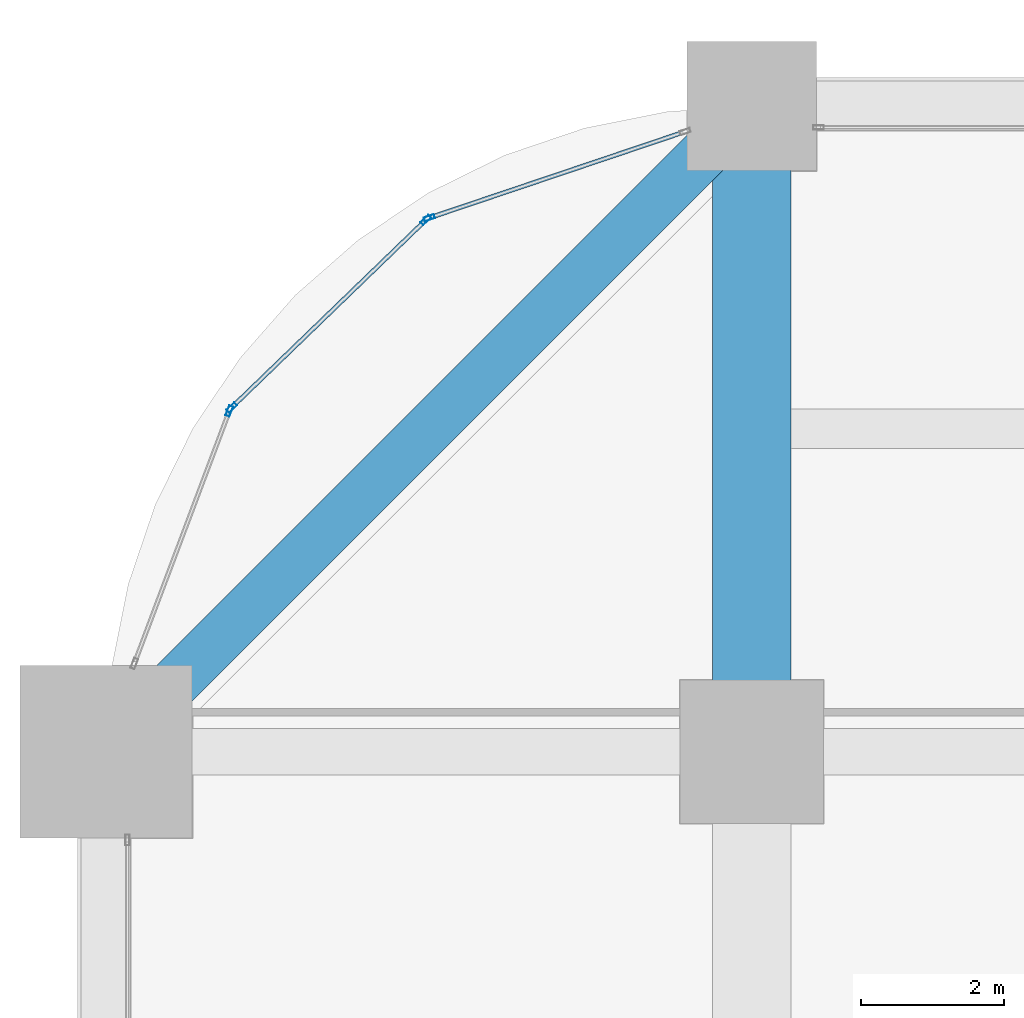
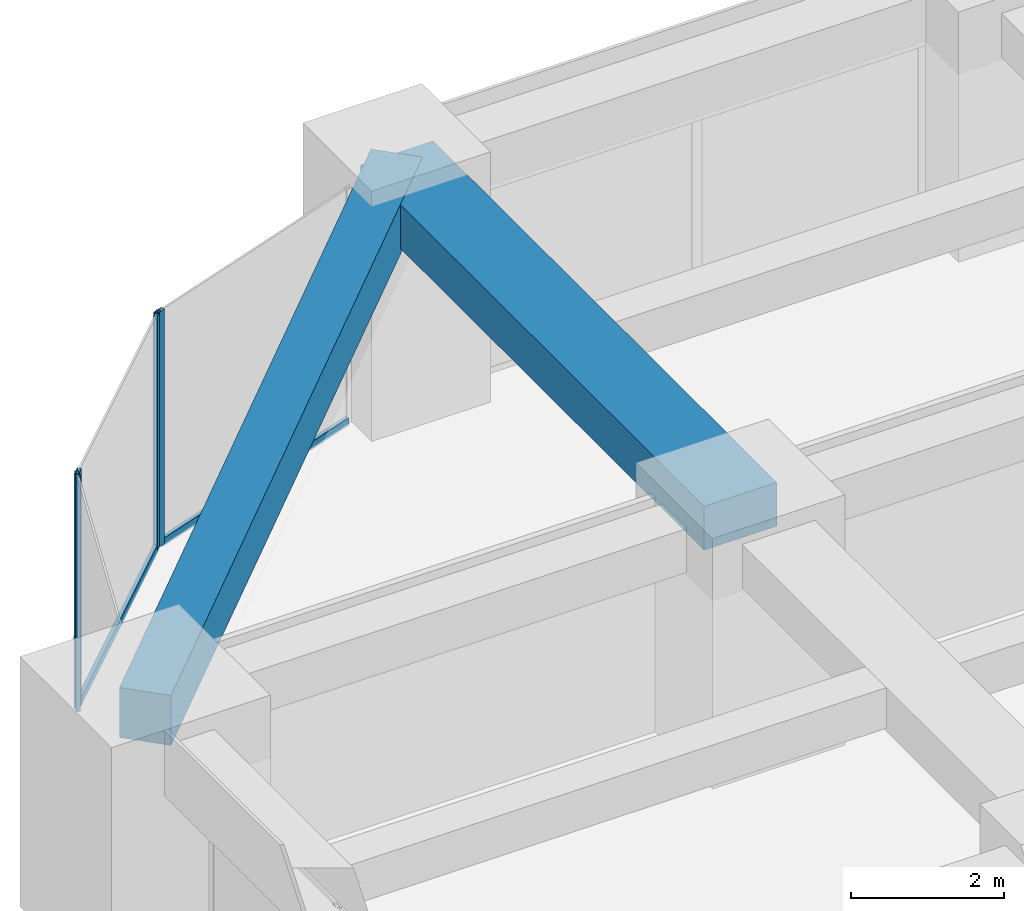
# One storey, part 26 of 39: 6 members, 2 beams, 3 elements without a shape of their own.
"""IFC4 building model written with IfcOpenShell, lengths in metres."""

from ifc_helpers import new_model, si_unit, direction, frame, origin, origin_2d, place, context, subcontext, project, spatial, rectangle, hollow_rectangle, extrude, material, material_profile, profile_set, type_object, element, aggregate, save


model = new_model("IFC4")

# Units and contexts
model_context = context("Model", 3, precision=1e-05, world=origin(), true_north=direction((0.0, 1.0)))
body_context = subcontext(model_context, "Body", "Model", "MODEL_VIEW")
ifc_project = project(units=[si_unit("LENGTHUNIT", "METRE"), si_unit("AREAUNIT", "SQUARE_METRE"), si_unit("VOLUMEUNIT", "CUBIC_METRE"), si_unit("PLANEANGLEUNIT", "RADIAN"), si_unit("MASSUNIT", "GRAM", prefix="KILO")], contexts=[model_context])

# Site, building, storey
site_placement = place(None, origin())
site = spatial("IfcSite", under=ifc_project, at=site_placement, CompositionType="ELEMENT")
building_placement = place(site_placement, origin())
building = spatial("IfcBuilding", under=site, at=building_placement, Name="Zorevar Civic Tower", CompositionType="ELEMENT")
storey_placement = place(building_placement, frame((0.0, 0.0, 121.0)))
storey = spatial("IfcBuildingStorey", under=building, at=storey_placement, Name="L29", CompositionType="ELEMENT", Elevation=121.0)

# Beam
ifc_material_1 = material(Name="Concrete C50/60", Category="concrete")
ifc_material_profile_1 = material_profile(ifc_material_1, rectangle(XDim=1.10009765625, YDim=0.699951171875, at=origin_2d()), Name="RC 1100x700")
ifc_profile_set_1 = profile_set([ifc_material_profile_1], Name="Concrete C50/60")
beam_type_1 = type_object("IfcBeamType", Name="Beam RC 1100x700", PredefinedType="BEAM", material=ifc_profile_set_1)
beam_1_placement = place(storey_placement, frame((9.0, 36.0, 3.39990234375), z_axis=(0.0, 1.0, 0.0), x_axis=(-1.0, 0.0, 0.0)))
element("IfcBeam", 1, at=beam_1_placement, inside=storey, type_object=beam_type_1, Name="Girder L30", PredefinedType="BEAM", context=body_context, shape_type="SweptSolid", body=[
    extrude(rectangle(XDim=1.10009765625, YDim=0.699951171875, at=origin_2d()), origin(), (0.0, 0.0, 1.0), 9.0),
])

# Curtain wall, member
ifc_material_2 = material(Name="Dark grey solar-control glass in black aluminium frame", Category="aluminium")
curtain_wall_type = type_object("IfcCurtainWallType", Name="Curtain wall CW3 mid zone", PredefinedType="NOTDEFINED", material=ifc_material_2)
curtain_wall_1_placement = place(storey_placement, origin())
curtain_wall_1 = element("IfcCurtainWall", 2, at=curtain_wall_1_placement, inside=storey, type_object=curtain_wall_type, Name="CW3 L29", PredefinedType="NOTDEFINED")
ifc_material_3 = material(Name="Aluminium, black anodised", Category="aluminium")
ifc_material_profile_2 = material_profile(ifc_material_3, hollow_rectangle(XDim=0.06005859375, YDim=0.14990234375, WallThickness=0.00390625, at=origin_2d()), Name="AL 150x60x4")
ifc_profile_set_2 = profile_set([ifc_material_profile_2], Name="Aluminium, black anodised")
member_type_1 = type_object("IfcMemberType", Name="CW3 mullion AL 150x60x4", PredefinedType="MULLION", material=ifc_profile_set_2)
member_1_placement = place(storey_placement, frame((4.506591796875, 43.442138671875, 0.0), z_axis=(0.0, 0.0, 1.0), x_axis=(0.319412525043, -0.947615765406, 0.0)))
member_1 = element("IfcMember", 3, at=member_1_placement, type_object=member_type_1, Name="CW3 mullion 2", PredefinedType="MULLION", context=body_context, shape_type="SweptSolid", body=[
    extrude(hollow_rectangle(XDim=0.06005859375, YDim=0.14990234375, WallThickness=0.00390625, at=origin_2d()), origin(), (0.0, 0.0, 1.0), 3.75),
])

# Curtain wall, members
curtain_wall_2_placement = place(storey_placement, origin())
curtain_wall_2 = element("IfcCurtainWall", 4, at=curtain_wall_2_placement, inside=storey, type_object=curtain_wall_type, Name="CW3 L29", PredefinedType="NOTDEFINED")
member_2_placement = place(storey_placement, frame((4.45654296875, 43.41162109375, 0.0), z_axis=(0.0, 0.0, 1.0), x_axis=(0.694719089155, -0.719281160023, 0.0)))
member_2 = element("IfcMember", 5, at=member_2_placement, type_object=member_type_1, Name="CW3 mullion 1", PredefinedType="MULLION", context=body_context, shape_type="SweptSolid", body=[
    extrude(hollow_rectangle(XDim=0.06005859375, YDim=0.14990234375, WallThickness=0.00390625, at=origin_2d()), origin(), (0.0, 0.0, 1.0), 3.75),
])
member_3_placement = place(storey_placement, frame((1.750732421875, 40.798095703125, 0.0), z_axis=(0.0, 0.0, 1.0), x_axis=(0.694719089155, -0.719281160023, 0.0)))
member_3 = element("IfcMember", 6, at=member_3_placement, type_object=member_type_1, Name="CW3 mullion 2", PredefinedType="MULLION", context=body_context, shape_type="SweptSolid", body=[
    extrude(hollow_rectangle(XDim=0.06005859375, YDim=0.14990234375, WallThickness=0.00390625, at=origin_2d()), origin(), (0.0, 0.0, 1.0), 3.75),
])

# Curtain wall, member
curtain_wall_3_placement = place(storey_placement, origin())
curtain_wall_3 = element("IfcCurtainWall", 7, at=curtain_wall_3_placement, inside=storey, type_object=curtain_wall_type, Name="CW3 L29", PredefinedType="NOTDEFINED")
member_4_placement = place(storey_placement, frame((1.718505859375, 40.749267578125, 0.0), z_axis=(0.0, 0.0, 1.0), x_axis=(0.935950528564, -0.352131520999, 0.0)))
member_4 = element("IfcMember", 8, at=member_4_placement, type_object=member_type_1, Name="CW3 mullion 1", PredefinedType="MULLION", context=body_context, shape_type="SweptSolid", body=[
    extrude(hollow_rectangle(XDim=0.06005859375, YDim=0.14990234375, WallThickness=0.00390625, at=origin_2d()), origin(), (0.0, 0.0, 1.0), 3.75),
])
aggregate(curtain_wall_3, [member_4])

# Member
ifc_material_4 = material(Name="Aluminium, black anodised", Category="aluminium")
ifc_material_profile_3 = material_profile(ifc_material_4, hollow_rectangle(XDim=0.06005859375, YDim=0.1201171875, WallThickness=0.0029296875, at=origin_2d()), Name="AL 120x60x3")
ifc_profile_set_3 = profile_set([ifc_material_profile_3], Name="Aluminium, black anodised")
member_type_2 = type_object("IfcMemberType", Name="CW3 transom AL 120x60x3", PredefinedType="USERDEFINED", material=ifc_profile_set_3)
member_5_placement = place(storey_placement, frame((8.043212890625, 44.634033203125, 0.030029296875), z_axis=(-0.9476295577, -0.319371603893, 0.0), x_axis=(0.319371603893, -0.9476295577, 0.0)))
member_5 = element("IfcMember", 9, at=member_5_placement, type_object=member_type_2, Name="CW3 sill transom", ObjectType="TRANSOM", PredefinedType="USERDEFINED", context=body_context, shape_type="SweptSolid", body=[
    extrude(hollow_rectangle(XDim=0.06005859375, YDim=0.1201171875, WallThickness=0.0029296875, at=origin_2d()), origin(), (0.0, 0.0, 1.0), 3.7021484375),
])

aggregate(curtain_wall_1, [member_1, member_5])

member_6_placement = place(storey_placement, frame((4.43505859375, 43.390869140625, 0.030029296875), z_axis=(-0.719266228526, -0.694734548228, 0.0), x_axis=(0.694734548228, -0.719266228526, 0.0)))
member_6 = element("IfcMember", 10, at=member_6_placement, type_object=member_type_2, Name="CW3 sill transom", ObjectType="TRANSOM", PredefinedType="USERDEFINED", context=body_context, shape_type="SweptSolid", body=[
    extrude(hollow_rectangle(XDim=0.06005859375, YDim=0.1201171875, WallThickness=0.0029296875, at=origin_2d()), origin(), (0.0, 0.0, 1.0), 3.7021484375),
])

aggregate(curtain_wall_2, [member_2, member_3, member_6])

# Beam
ifc_material_5 = material(Name="Concrete C50/60", Category="concrete")
ifc_material_profile_4 = material_profile(ifc_material_5, rectangle(XDim=0.699951171875, YDim=0.800048828125, at=origin_2d()), Name="RC 700x800")
ifc_profile_set_4 = profile_set([ifc_material_profile_4], Name="Concrete C50/60")
beam_type_2 = type_object("IfcBeamType", Name="Edge beam RC 700x800", PredefinedType="SPANDREL", material=ifc_profile_set_4)
beam_2_placement = place(storey_placement, frame((9.0, 45.0, 3.35009765625), z_axis=(-0.707106781187, -0.707106781187, 0.0), x_axis=(0.707106781187, -0.707106781187, 0.0)))
element("IfcBeam", 11, at=beam_2_placement, inside=storey, type_object=beam_type_2, Name="Corner edge beam L30", PredefinedType="SPANDREL", context=body_context, shape_type="SweptSolid", body=[
    extrude(rectangle(XDim=0.699951171875, YDim=0.800048828125, at=origin_2d()), origin(), (0.0, 0.0, 1.0), 12.72802734375),
])

save(model, "model.ifc")
